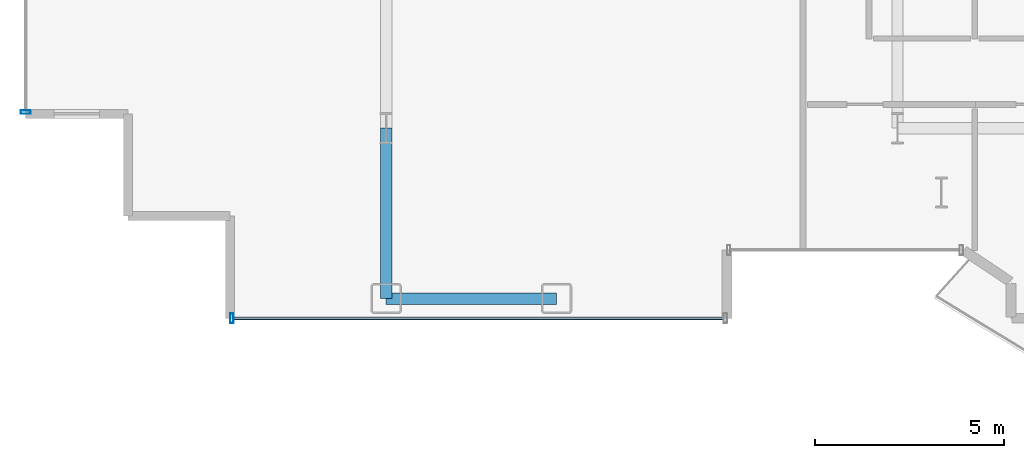
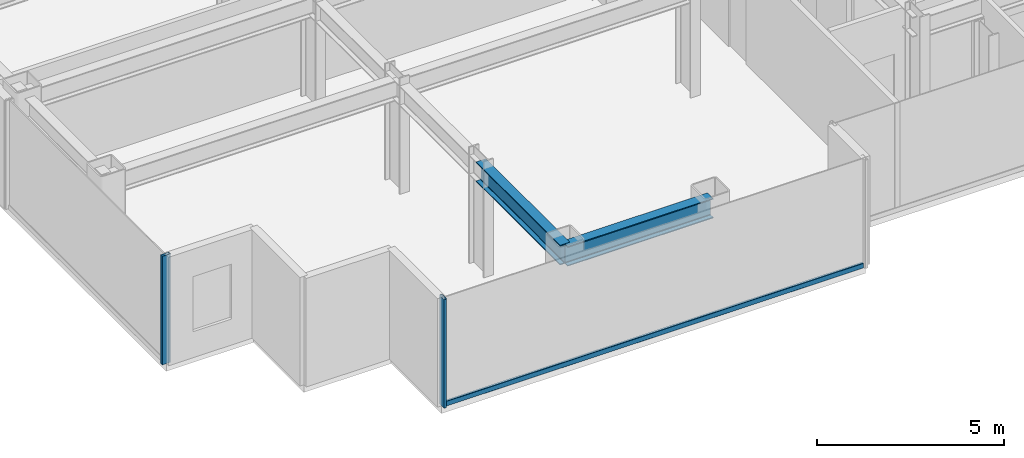
# One storey, part 3 of 27: 3 members, 2 beams, 2 elements without a shape of their own.
"""IFC4 building model written with IfcOpenShell, lengths in metres."""

from ifc_helpers import new_model, si_unit, direction, frame, origin, origin_2d, place, context, subcontext, project, spatial, hollow_rectangle, i_section, extrude, source, transform, mapped, material, layer, layer_set, material_profile, profile_set, type_object, element, aggregate, save


model = new_model("IFC4")

# Units and contexts
model_context = context("Model", 3, precision=1e-05, world=origin(), true_north=direction((0.0, 1.0)))
body_context = subcontext(model_context, "Body", "Model", "MODEL_VIEW")
ifc_project = project(units=[si_unit("LENGTHUNIT", "METRE"), si_unit("AREAUNIT", "SQUARE_METRE"), si_unit("VOLUMEUNIT", "CUBIC_METRE"), si_unit("PLANEANGLEUNIT", "RADIAN"), si_unit("MASSUNIT", "GRAM", prefix="KILO")], contexts=[model_context])

# Site, building, storey
site_placement = place(None, origin())
site = spatial("IfcSite", under=ifc_project, at=site_placement, CompositionType="ELEMENT")
building_placement = place(site_placement, origin())
building = spatial("IfcBuilding", under=site, at=building_placement, Name="Nefas-Gora Pilgrimage Tower", CompositionType="ELEMENT")
storey_placement = place(building_placement, frame((0.0, 0.0, 148.800048828125)))
storey = spatial("IfcBuildingStorey", under=building, at=storey_placement, Name="L36", CompositionType="ELEMENT", Elevation=148.800048828125)

# Beams
ifc_material_1 = material(Name="Steel S355", Category="steel")
ifc_material_profile_1 = material_profile(ifc_material_1, i_section(OverallWidth=0.300048828125, OverallDepth=0.64990234375, WebThickness=0.01611328125, FlangeThickness=0.031005859375, FilletRadius=0.027099609375, at=origin_2d()), Name="HEB 650")
ifc_profile_set_1 = profile_set([ifc_material_profile_1], Name="Steel S355")
beam_type_1 = type_object("IfcBeamType", Name="BM-SPN-HEB500", PredefinedType="SPANDREL", material=ifc_profile_set_1)
shared_shape_1 = source(origin(), body_context, "Body", "SweptSolid", [
    extrude(i_section(OverallWidth=0.300048828125, OverallDepth=0.64990234375, WebThickness=0.01611328125, FlangeThickness=0.031005859375, FilletRadius=0.027099609375, at=origin_2d()), origin(), (0.0, 0.0, 1.0), 4.5),
])
beam_1_placement = place(storey_placement, frame((-24.75, -22.5, 3.224853515625), z_axis=(1.0, 0.0, 0.0), x_axis=(0.0, 1.0, 0.0)))
element("IfcBeam", 1, at=beam_1_placement, inside=storey, type_object=beam_type_1, Name="L36 SP-02 beam", PredefinedType="SPANDREL", context=body_context, shape_type="MappedRepresentation", body=[
    mapped(shared_shape_1, transform((0.0, 0.0, 0.0), x_axis=(1.0, 0.0, 0.0), y_axis=(0.0, 1.0, 0.0), z_axis=(0.0, 0.0, 1.0), scale=1.0)),
])
ifc_material_profile_2 = material_profile(ifc_material_1, i_section(OverallWidth=0.300048828125, OverallDepth=0.64990234375, WebThickness=0.01611328125, FlangeThickness=0.031005859375, FilletRadius=0.027099609375, at=origin_2d()), Name="HEB 650")
ifc_profile_set_2 = profile_set([ifc_material_profile_2], Name="Steel S355")
beam_type_2 = type_object("IfcBeamType", Name="BM-GIR-HEB650", PredefinedType="BEAM", material=ifc_profile_set_2)
shared_shape_2 = source(origin(), body_context, "Body", "SweptSolid", [
    extrude(i_section(OverallWidth=0.300048828125, OverallDepth=0.64990234375, WebThickness=0.01611328125, FlangeThickness=0.031005859375, FilletRadius=0.027099609375, at=origin_2d()), origin(), (0.0, 0.0, 1.0), 4.5),
])
beam_2_placement = place(storey_placement, frame((-24.75, -22.5, 3.224853515625), z_axis=(0.0, 1.0, 0.0), x_axis=(-1.0, 0.0, 0.0)))
element("IfcBeam", 2, at=beam_2_placement, inside=storey, type_object=beam_type_2, Name="L36 G-03 beam", PredefinedType="BEAM", context=body_context, shape_type="MappedRepresentation", body=[
    mapped(shared_shape_2, transform((0.0, 0.0, 0.0), x_axis=(1.0, 0.0, 0.0), y_axis=(0.0, 1.0, 0.0), z_axis=(0.0, 0.0, 1.0), scale=1.0)),
])

# Curtain wall, member
ifc_material_2 = material(Name="Dark ceramic-fritted solar-control aluminium-glass curtain wall", Category="aluminium")
ifc_layer = layer(ifc_material_2, 0.219970703125)
ifc_layer_set = layer_set([ifc_layer], Name="Dark ceramic-fritted solar-control aluminium-glass curtain wall")
curtain_wall_type = type_object("IfcCurtainWallType", Name="CW-SYS-3", PredefinedType="NOTDEFINED", material=ifc_layer_set)
curtain_wall_1_placement = place(storey_placement, origin())
curtain_wall_1 = element("IfcCurtainWall", 3, at=curtain_wall_1_placement, inside=storey, type_object=curtain_wall_type, Name="L36 Unitised Curtain Wall CW3", PredefinedType="NOTDEFINED")
ifc_material_3 = material(Name="Anodised architectural aluminium", Category="aluminium")
ifc_material_profile_3 = material_profile(ifc_material_3, hollow_rectangle(XDim=0.090087890625, YDim=0.260009765625, WallThickness=0.006103515625, InnerFilletRadius=0.006103515625, OuterFilletRadius=0.011962890625, at=origin_2d()), Name="ALU MULLION 90x260")
ifc_profile_set_3 = profile_set([ifc_material_profile_3], Name="Anodised architectural aluminium")
member_type_1 = type_object("IfcMemberType", Name="CWM-MUL-3", PredefinedType="MULLION", material=ifc_profile_set_3)
shared_shape_3 = source(origin(), body_context, "Body", "SweptSolid", [
    extrude(hollow_rectangle(XDim=0.090087890625, YDim=0.260009765625, WallThickness=0.006103515625, InnerFilletRadius=0.006103515625, OuterFilletRadius=0.011962890625, at=origin_2d()), origin(), (0.0, 0.0, 1.0), 3.550048828125),
])
member_1_placement = place(storey_placement, frame((-34.27001953125, -17.574951171875, 0.0), z_axis=(0.0, 0.0, 1.0), x_axis=(0.0, -1.0, 0.0)))
member_1 = element("IfcMember", 4, at=member_1_placement, type_object=member_type_1, Name="CW3 Mullion 2", PredefinedType="MULLION", context=body_context, shape_type="MappedRepresentation", body=[
    mapped(shared_shape_3, transform((0.0, 0.0, 0.0), x_axis=(1.0, 0.0, 0.0), y_axis=(0.0, 1.0, 0.0), z_axis=(0.0, 0.0, 1.0), scale=1.0)),
])
aggregate(curtain_wall_1, [member_1])

# Curtain wall, members
curtain_wall_2_placement = place(storey_placement, origin())
curtain_wall_2 = element("IfcCurtainWall", 5, at=curtain_wall_2_placement, inside=storey, type_object=curtain_wall_type, Name="L36 Unitised Curtain Wall CW3", PredefinedType="NOTDEFINED")
member_2_placement = place(storey_placement, frame((-28.824951171875, -23.02001953125, 0.0), z_axis=(0.0, 0.0, 1.0), x_axis=(1.0, 0.0, 0.0)))
member_2 = element("IfcMember", 6, at=member_2_placement, type_object=member_type_1, Name="CW3 Mullion 1", PredefinedType="MULLION", context=body_context, shape_type="MappedRepresentation", body=[
    mapped(shared_shape_3, transform((0.0, 0.0, 0.0), x_axis=(1.0, 0.0, 0.0), y_axis=(0.0, 1.0, 0.0), z_axis=(0.0, 0.0, 1.0), scale=1.0)),
])
ifc_material_profile_4 = material_profile(ifc_material_3, hollow_rectangle(XDim=0.080078125, YDim=0.159912109375, WallThickness=0.00439453125, InnerFilletRadius=0.00439453125, OuterFilletRadius=0.009033203125, at=origin_2d()), Name="ALU TRANSOM 80x160")
ifc_profile_set_4 = profile_set([ifc_material_profile_4], Name="Anodised architectural aluminium")
member_type_2 = type_object("IfcMemberType", Name="CWM-TRN-3", PredefinedType="USERDEFINED", material=ifc_profile_set_4)
shared_shape_4 = source(origin(), body_context, "Body", "SweptSolid", [
    extrude(hollow_rectangle(XDim=0.080078125, YDim=0.159912109375, WallThickness=0.00439453125, InnerFilletRadius=0.00439453125, OuterFilletRadius=0.009033203125, at=origin_2d()), origin(), (0.0, 0.0, 1.0), 12.93994140625),
])
member_3_placement = place(storey_placement, frame((-28.780029296875, -23.02001953125, 0.050048828125), z_axis=(1.0, 0.0, 0.0), x_axis=(0.0, 1.0, 0.0)))
member_3 = element("IfcMember", 7, at=member_3_placement, type_object=member_type_2, Name="CW3 Spandrel Transom", ObjectType="TRANSOM", PredefinedType="USERDEFINED", context=body_context, shape_type="MappedRepresentation", body=[
    mapped(shared_shape_4, transform((0.0, 0.0, 0.0), x_axis=(1.0, 0.0, 0.0), y_axis=(0.0, 1.0, 0.0), z_axis=(0.0, 0.0, 1.0), scale=1.0)),
])
aggregate(curtain_wall_2, [member_2, member_3])

save(model, "model.ifc")
